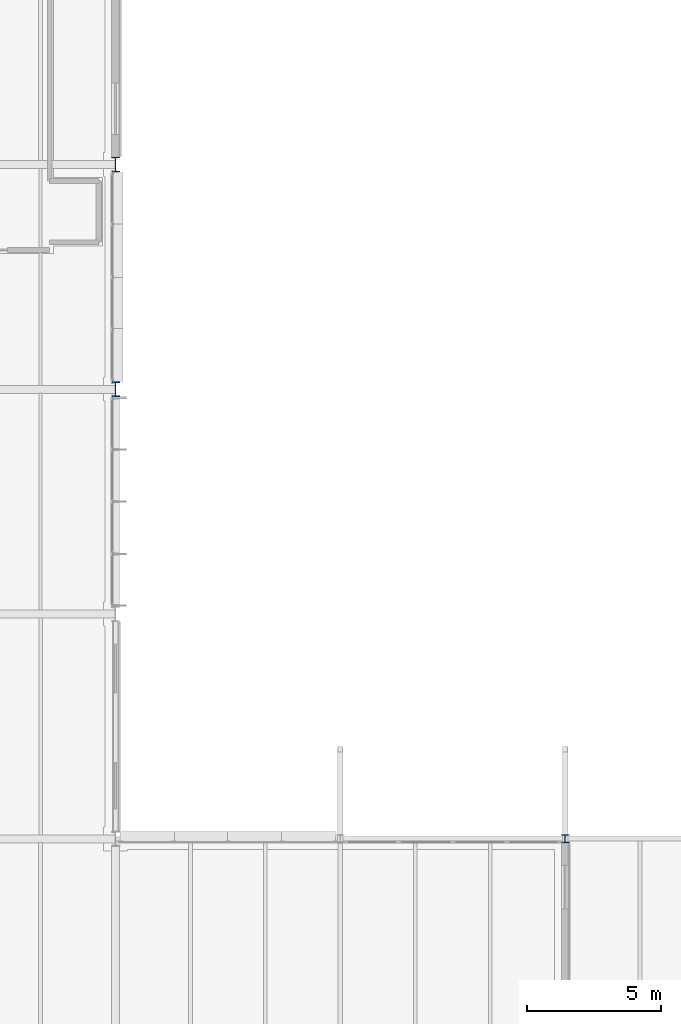
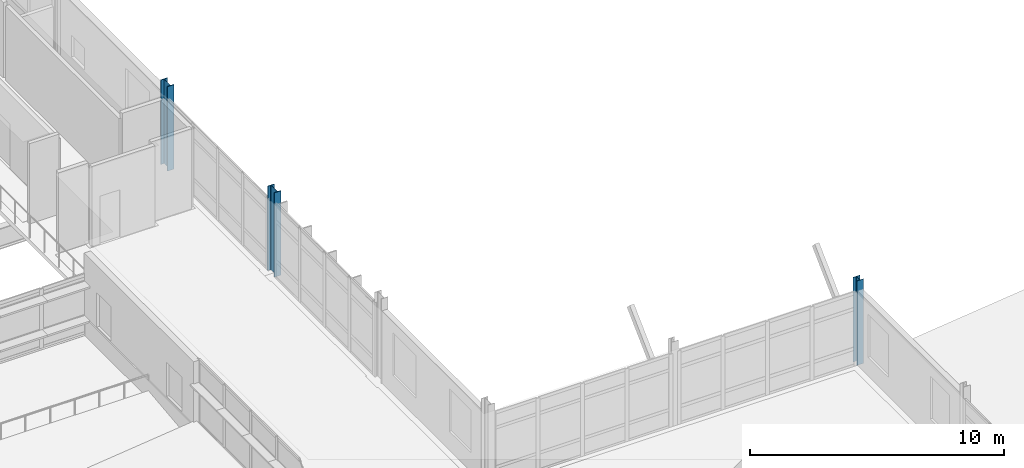
# One storey, part 4 of 131: 3 columns.
"""IFC4 building model written with IfcOpenShell, lengths in metres."""

from ifc_helpers import new_model, si_unit, direction, frame, origin, origin_2d, place, context, subcontext, project, spatial, i_section, extrude, material, material_profile, profile_set, type_object, element, save


model = new_model("IFC4")

# Units and contexts
model_context = context("Model", 3, precision=1e-05, world=origin(), true_north=direction((0.0, 1.0)))
body_context = subcontext(model_context, "Body", "Model", "MODEL_VIEW")
ifc_project = project(units=[si_unit("LENGTHUNIT", "METRE"), si_unit("AREAUNIT", "SQUARE_METRE"), si_unit("VOLUMEUNIT", "CUBIC_METRE"), si_unit("PLANEANGLEUNIT", "RADIAN"), si_unit("MASSUNIT", "GRAM", prefix="KILO")], contexts=[model_context])

# Site, building, storey
site_placement = place(None, origin())
site = spatial("IfcSite", under=ifc_project, at=site_placement, CompositionType="ELEMENT")
building_placement = place(site_placement, origin())
building = spatial("IfcBuilding", under=site, at=building_placement, Name="Mersafa Astral City Hall", CompositionType="ELEMENT")
storey_placement = place(building_placement, frame((0.0, 0.0, 13.949951171875)))
storey = spatial("IfcBuildingStorey", under=building, at=storey_placement, Name="L03", CompositionType="ELEMENT", Elevation=13.949951171875)

# Columns
ifc_material = material(Name="Steel S355", Category="steel")
ifc_material_profile_1 = material_profile(ifc_material, i_section(OverallWidth=0.300048828125, OverallDepth=0.300048828125, WebThickness=0.010986328125, FlangeThickness=0.01904296875, FilletRadius=0.027099609375, at=origin_2d()), Name="HEB 300")
ifc_profile_set_1 = profile_set([ifc_material_profile_1], Name="Steel S355")
column_type_1 = type_object("IfcColumnType", Name="STR-COL-HEB300", PredefinedType="COLUMN", material=ifc_profile_set_1)
column_placement = place(storey_placement, frame((134.39990234375, 33.60009765625, 0.0), z_axis=(0.0, 0.0, 1.0), x_axis=(1.0, 0.0, 0.0)))
element("IfcColumn", 1, at=column_placement, inside=storey, type_object=column_type_1, Name="L03 Structural column G-16-04", PredefinedType="COLUMN", context=body_context, shape_type="SweptSolid", body=[
    extrude(i_section(OverallWidth=0.300048828125, OverallDepth=0.300048828125, WebThickness=0.010986328125, FlangeThickness=0.01904296875, FilletRadius=0.027099609375, at=origin_2d()), origin(), (0.0, 0.0, 1.0), 4.050048828125),
])
ifc_material_profile_2 = material_profile(ifc_material, i_section(OverallWidth=0.300048828125, OverallDepth=0.550048828125, WebThickness=0.014892578125, FlangeThickness=0.029052734375, FilletRadius=0.027099609375, at=origin_2d()), Name="HEB 550")
ifc_profile_set_2 = profile_set([ifc_material_profile_2], Name="Steel S355")
column_type_2 = type_object("IfcColumnType", Name="STR-COL-HEB550", PredefinedType="COLUMN", material=ifc_profile_set_2)
for number, where, z_axis, x_axis, name in (
    (2, (117.60009765625, 50.39990234375, 0.0), (0.0, 0.0, 1.0), (1.0, 0.0, 0.0), "L03 Structural column G-14-06"),
    (3, (117.60009765625, 58.800048828125, 0.0), (0.0, 0.0, 1.0), (1.0, 0.0, 0.0), "L03 Structural column G-14-07"),
):
    element("IfcColumn", number, at=place(storey_placement, frame(where, z_axis=z_axis, x_axis=x_axis)), inside=storey, type_object=column_type_2, Name=name, PredefinedType="COLUMN", context=body_context, shape_type="SweptSolid", body=[
        extrude(i_section(OverallWidth=0.300048828125, OverallDepth=0.550048828125, WebThickness=0.014892578125, FlangeThickness=0.029052734375, FilletRadius=0.027099609375, at=origin_2d()), origin(), (0.0, 0.0, 1.0), 4.050048828125),
    ])

save(model, "model.ifc")
